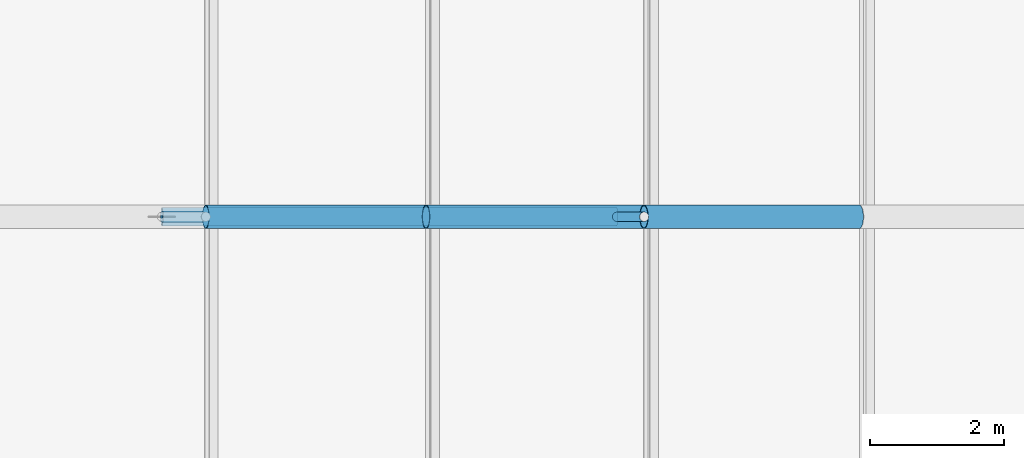
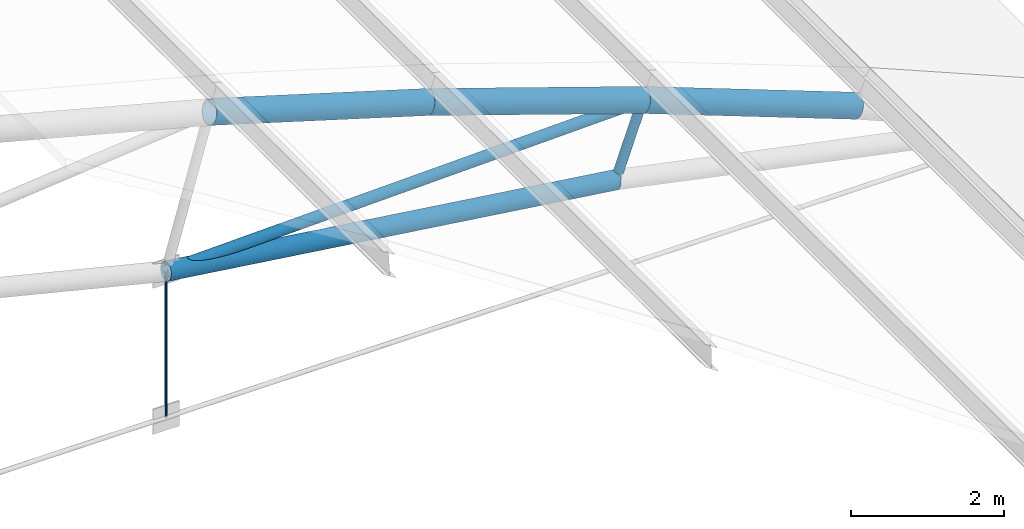
# One storey, part 111 of 321: 7 members.
"""IFC4 building model written with IfcOpenShell, lengths in metres."""

from ifc_helpers import new_model, si_unit, direction, frame, origin, origin_2d, place, context, subcontext, project, spatial, circle, hollow_circle, extrude, material, material_profile, profile_set, type_object, element, save


model = new_model("IFC4")

# Units and contexts
model_context = context("Model", 3, precision=1e-05, world=origin(), true_north=direction((0.0, 1.0)))
body_context = subcontext(model_context, "Body", "Model", "MODEL_VIEW")
ifc_project = project(units=[si_unit("LENGTHUNIT", "METRE"), si_unit("AREAUNIT", "SQUARE_METRE"), si_unit("VOLUMEUNIT", "CUBIC_METRE"), si_unit("PLANEANGLEUNIT", "RADIAN"), si_unit("MASSUNIT", "GRAM", prefix="KILO")], contexts=[model_context])

# Site, building, storey
site_placement = place(None, origin())
site = spatial("IfcSite", under=ifc_project, at=site_placement, CompositionType="ELEMENT")
building_placement = place(site_placement, origin())
building = spatial("IfcBuilding", under=site, at=building_placement, Name="Ravi Spectrum Wholesale Market", CompositionType="ELEMENT")
storey_placement = place(building_placement, frame((0.0, 0.0, 10.800048828125)))
storey = spatial("IfcBuildingStorey", under=building, at=storey_placement, Name="L02", CompositionType="ELEMENT", Elevation=10.800048828125)

# Members
ifc_material_1 = material(Name="Steel S355", Category="steel")
ifc_material_profile_1 = material_profile(ifc_material_1, hollow_circle(Radius=0.06982421875, WallThickness=0.0048828125, at=origin_2d()))
ifc_profile_set_1 = profile_set([ifc_material_profile_1], Name="Steel S355")
member_type_1 = type_object("IfcMemberType", Name="CHS 139.7x5 post", PredefinedType="POST", material=ifc_profile_set_1)
member_1_placement = place(storey_placement, frame((103.636962890625, 138.0, 2.56494140625), z_axis=(-0.338114270461, 0.0, -0.941105063269), x_axis=(0.0, -1.0, 0.0)))
element("IfcMember", 1, at=member_1_placement, inside=storey, type_object=member_type_1, Name="H1-MB-L02-794", PredefinedType="POST", context=body_context, shape_type="SweptSolid", body=[
    extrude(hollow_circle(Radius=0.06982421875, WallThickness=0.0048828125, at=origin_2d()), origin(), (0.0, 0.0, 1.0), 1.199951171875),
])
ifc_material_2 = material(Name="Steel S355", Category="steel")
ifc_material_profile_2 = material_profile(ifc_material_2, hollow_circle(Radius=0.084228515625, WallThickness=0.00634765625, at=origin_2d()))
ifc_profile_set_2 = profile_set([ifc_material_profile_2], Name="Steel S355")
member_type_2 = type_object("IfcMemberType", Name="CHS 168.3x6.3 brace", PredefinedType="BRACE", material=ifc_profile_set_2)
member_2_placement = place(storey_placement, frame((103.636962890625, 138.0, 2.56494140625), z_axis=(-0.999561599338, 0.0, -0.029607585673), x_axis=(0.0, -1.0, 0.0)))
element("IfcMember", 2, at=member_2_placement, inside=storey, type_object=member_type_2, Name="H1-MB-L02-804", PredefinedType="BRACE", context=body_context, shape_type="SweptSolid", body=[
    extrude(hollow_circle(Radius=0.084228515625, WallThickness=0.00634765625, at=origin_2d()), origin(), (0.0, 0.0, 1.0), 7.1904296875),
])
ifc_material_3 = material(Name="Steel S355", Category="steel")
ifc_material_profile_3 = material_profile(ifc_material_3, hollow_circle(Radius=0.136474609375, WallThickness=0.010009765625, at=origin_2d()))
ifc_profile_set_3 = profile_set([ifc_material_profile_3], Name="Steel S355")
member_type_3 = type_object("IfcMemberType", Name="CHS 273x10 chord", PredefinedType="CHORD", material=ifc_profile_set_3)
member_3_placement = place(storey_placement, frame((96.44970703125, 138.0, 2.35205078125), z_axis=(0.990990766788, 0.0, -0.133930206233), x_axis=(0.0, 1.0, 0.0)))
element("IfcMember", 3, at=member_3_placement, inside=storey, type_object=member_type_3, Name="H1-MB-L02-782", PredefinedType="CHORD", context=body_context, shape_type="SweptSolid", body=[
    extrude(hollow_circle(Radius=0.136474609375, WallThickness=0.010009765625, at=origin_2d()), origin(), (0.0, 0.0, 1.0), 6.84326171875),
])
ifc_material_4 = material(Name="Steel S355", Category="steel")
ifc_material_profile_4 = material_profile(ifc_material_4, hollow_circle(Radius=0.177734375, WallThickness=0.012451171875, at=origin_2d()))
ifc_profile_set_4 = profile_set([ifc_material_profile_4], Name="Steel S355")
member_type_4 = type_object("IfcMemberType", Name="CHS 355.6x12.5 chord", PredefinedType="CHORD", material=ifc_profile_set_4)
for number, where, z_axis, x_axis, name in (
    (4, (97.103759765625, 138.0, 4.661376953125), (0.957299848506, 0.0, -0.289096869666), (0.0, 1.0, 0.0), "H1-MB-L02-768"),
    (5, (100.388427734375, 138.0, 3.66943359375), (0.946773612235, 0.0, -0.321900182005), (0.0, 1.0, 0.0), "H1-MB-L02-769"),
    (6, (103.636962890625, 138.0, 2.56494140625), (0.935113010382, 0.0, -0.354349626518), (0.0, 1.0, 0.0), "H1-MB-L02-770"),
):
    element("IfcMember", number, at=place(storey_placement, frame(where, z_axis=z_axis, x_axis=x_axis)), inside=storey, type_object=member_type_4, Name=name, PredefinedType="CHORD", context=body_context, shape_type="SweptSolid", body=[
        extrude(hollow_circle(Radius=0.177734375, WallThickness=0.012451171875, at=origin_2d()), origin(), (0.0, 0.0, 1.0), 3.43115234375),
    ])
ifc_material_5 = material(Name="Steel S355", Category="steel")
ifc_material_profile_5 = material_profile(ifc_material_5, circle(Radius=0.01806640625, at=origin_2d()))
ifc_profile_set_5 = profile_set([ifc_material_profile_5], Name="Steel S355")
member_type_5 = type_object("IfcMemberType", Name="ROD 36 hanger", PredefinedType="STRUT", material=ifc_profile_set_5)
member_4_placement = place(storey_placement, frame((96.44970703125, 138.0, 0.023193359375), z_axis=(0.0, 0.0, 1.0), x_axis=(1.0, 0.0, 0.0)))
element("IfcMember", 7, at=member_4_placement, inside=storey, type_object=member_type_5, Name="H1-MB-L02-810", PredefinedType="STRUT", context=body_context, shape_type="SweptSolid", body=[
    extrude(circle(Radius=0.01806640625, at=origin_2d()), origin(), (0.0, 0.0, 1.0), 2.328857421875),
])

save(model, "model.ifc")
